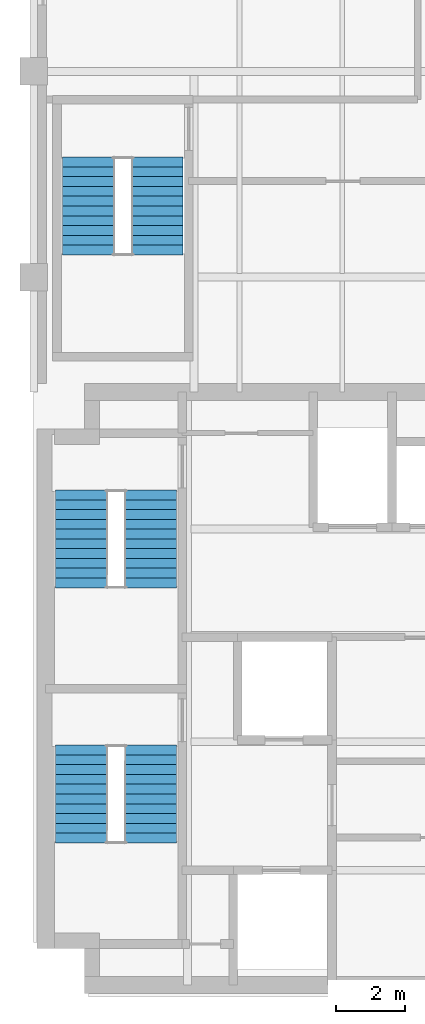
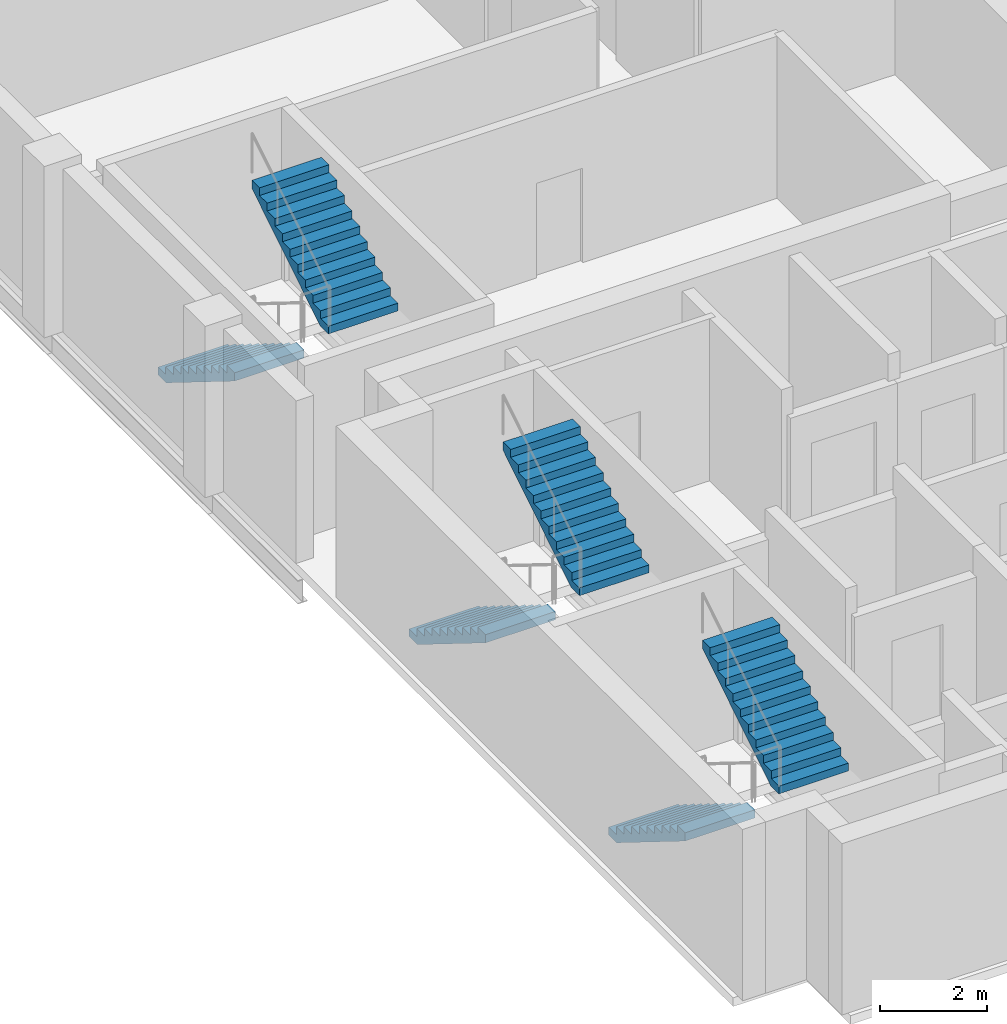
# One storey, part 5 of 6: 6 stair flights, 3 elements without a shape of their own.
"""IFC4 building model written with IfcOpenShell, lengths in metres."""

from ifc_helpers import new_model, si_unit, direction, frame, origin, place, context, subcontext, project, spatial, polyline, outline, extrude, material, type_object, element, aggregate, save


model = new_model("IFC4")

# Units and contexts
model_context = context("Model", 3, precision=1e-05, world=origin(), true_north=direction((0.0, 1.0)))
body_context = subcontext(model_context, "Body", "Model", "MODEL_VIEW")
ifc_project = project(units=[si_unit("LENGTHUNIT", "METRE"), si_unit("AREAUNIT", "SQUARE_METRE"), si_unit("VOLUMEUNIT", "CUBIC_METRE"), si_unit("PLANEANGLEUNIT", "RADIAN"), si_unit("MASSUNIT", "GRAM", prefix="KILO")], contexts=[model_context])

# Site, building, storey
site_placement = place(None, origin())
site = spatial("IfcSite", under=ifc_project, at=site_placement, CompositionType="ELEMENT")
building_placement = place(site_placement, origin())
building = spatial("IfcBuilding", under=site, at=building_placement, Name="Mawjdan Bourse Tower", CompositionType="ELEMENT")
storey_placement = place(building_placement, frame((0.0, 0.0, 231.300048828125)))
storey = spatial("IfcBuildingStorey", under=building, at=storey_placement, Name="L56", CompositionType="ELEMENT", Elevation=231.300048828125)

# Stair, stair flights
ifc_material = material(Name="Concrete C50/60", Category="concrete")
stair_type = type_object("IfcStairType", Name="STR-CORE-1500", PredefinedType="HALF_TURN_STAIR", material=ifc_material)
stair_1_placement = place(storey_placement, origin())
stair_1 = element("IfcStair", 1, at=stair_1_placement, inside=storey, type_object=stair_type, Name="L56 Exit Stair 1 (Core South-West)", PredefinedType="HALF_TURN_STAIR")
stair_flight_type = type_object("IfcStairFlightType", Name="SFL-RC-1500", PredefinedType="STRAIGHT", material=ifc_material)
stair_flight_1_placement = place(storey_placement, frame((7.389892578125, 10.35009765625, 0.0), z_axis=(0.0, 0.0, 1.0), x_axis=(0.0, -1.0, 0.0)))
stair_flight_1 = element("IfcStairFlight", 2, at=stair_flight_1_placement, type_object=stair_flight_type, Name="ST1-L56 flight 1", NumberOfRisers=11, NumberOfTreads=10, PredefinedType="STRAIGHT", RiserHeight=0.177273, TreadLength=0.285, context=body_context, shape_type="SweptSolid", body=[
    extrude(outline(polyline([(0.0, 0.0), (0.0, 0.17724609375), (0.284912109375, 0.17724609375), (0.284912109375, 0.3544921875), (0.570068359375, 0.3544921875), (0.570068359375, 0.53173828125), (0.85498046875, 0.53173828125), (0.85498046875, 0.708984375), (1.139892578125, 0.708984375), (1.139892578125, 0.886474609375), (1.425048828125, 0.886474609375), (1.425048828125, 1.063720703125), (1.7099609375, 1.063720703125), (1.7099609375, 1.240966796875), (1.9951171875, 1.240966796875), (1.9951171875, 1.418212890625), (2.280029296875, 1.418212890625), (2.280029296875, 1.595458984375), (2.56494140625, 1.595458984375), (2.56494140625, 1.772705078125), (2.85009765625, 1.772705078125), (2.85009765625, 1.949951171875), (2.85009765625, 1.58447265625), (0.302734375, 0.0), (0.0, 0.0)])), frame((0.0, 0.75, 0.0), z_axis=(0.0, -1.0, 0.0), x_axis=(1.0, 0.0, 0.0)), (0.0, 0.0, 1.0), 1.5),
])
stair_flight_2_placement = place(storey_placement, frame((9.409912109375, 7.5, 1.949951171875), z_axis=(0.0, 0.0, 1.0), x_axis=(0.0, 1.0, 0.0)))
stair_flight_2 = element("IfcStairFlight", 3, at=stair_flight_2_placement, type_object=stair_flight_type, Name="ST1-L56 flight 2", NumberOfRisers=11, NumberOfTreads=10, PredefinedType="STRAIGHT", RiserHeight=0.177273, TreadLength=0.285, context=body_context, shape_type="SweptSolid", body=[
    extrude(outline(polyline([(0.0, 0.0), (0.0, 0.17724609375), (0.284912109375, 0.17724609375), (0.284912109375, 0.3544921875), (0.570068359375, 0.3544921875), (0.570068359375, 0.53173828125), (0.85498046875, 0.53173828125), (0.85498046875, 0.708984375), (1.139892578125, 0.708984375), (1.139892578125, 0.886474609375), (1.425048828125, 0.886474609375), (1.425048828125, 1.063720703125), (1.7099609375, 1.063720703125), (1.7099609375, 1.240966796875), (1.9951171875, 1.240966796875), (1.9951171875, 1.418212890625), (2.280029296875, 1.418212890625), (2.280029296875, 1.595458984375), (2.56494140625, 1.595458984375), (2.56494140625, 1.772705078125), (2.85009765625, 1.772705078125), (2.85009765625, 1.949951171875), (2.85009765625, 1.58447265625), (0.302734375, 0.0), (0.0, 0.0)])), frame((0.0, 0.75, 0.0), z_axis=(0.0, -1.0, 0.0), x_axis=(1.0, 0.0, 0.0)), (0.0, 0.0, 1.0), 1.5),
])
aggregate(stair_1, [stair_flight_1, stair_flight_2])

stair_2_placement = place(storey_placement, origin())
stair_2 = element("IfcStair", 4, at=stair_2_placement, inside=storey, type_object=stair_type, Name="L56 Exit Stair 2 (Core North-West)", PredefinedType="HALF_TURN_STAIR")
stair_flight_3_placement = place(storey_placement, frame((7.389892578125, 17.7900390625, 0.0), z_axis=(0.0, 0.0, 1.0), x_axis=(0.0, -1.0, 0.0)))
stair_flight_3 = element("IfcStairFlight", 5, at=stair_flight_3_placement, type_object=stair_flight_type, Name="ST2-L56 flight 1", NumberOfRisers=11, NumberOfTreads=10, PredefinedType="STRAIGHT", RiserHeight=0.177273, TreadLength=0.285, context=body_context, shape_type="SweptSolid", body=[
    extrude(outline(polyline([(0.0, 0.0), (0.0, 0.17724609375), (0.284912109375, 0.17724609375), (0.284912109375, 0.3544921875), (0.570068359375, 0.3544921875), (0.570068359375, 0.53173828125), (0.85498046875, 0.53173828125), (0.85498046875, 0.708984375), (1.139892578125, 0.708984375), (1.139892578125, 0.886474609375), (1.425048828125, 0.886474609375), (1.425048828125, 1.063720703125), (1.7099609375, 1.063720703125), (1.7099609375, 1.240966796875), (1.9951171875, 1.240966796875), (1.9951171875, 1.418212890625), (2.280029296875, 1.418212890625), (2.280029296875, 1.595458984375), (2.56494140625, 1.595458984375), (2.56494140625, 1.772705078125), (2.85009765625, 1.772705078125), (2.85009765625, 1.949951171875), (2.85009765625, 1.58447265625), (0.302734375, 0.0), (0.0, 0.0)])), frame((0.0, 0.75, 0.0), z_axis=(0.0, -1.0, 0.0), x_axis=(1.0, 0.0, 0.0)), (0.0, 0.0, 1.0), 1.5),
])
stair_flight_4_placement = place(storey_placement, frame((9.409912109375, 14.93994140625, 1.949951171875), z_axis=(0.0, 0.0, 1.0), x_axis=(0.0, 1.0, 0.0)))
stair_flight_4 = element("IfcStairFlight", 6, at=stair_flight_4_placement, type_object=stair_flight_type, Name="ST2-L56 flight 2", NumberOfRisers=11, NumberOfTreads=10, PredefinedType="STRAIGHT", RiserHeight=0.177273, TreadLength=0.285, context=body_context, shape_type="SweptSolid", body=[
    extrude(outline(polyline([(0.0, 0.0), (0.0, 0.17724609375), (0.284912109375, 0.17724609375), (0.284912109375, 0.3544921875), (0.570068359375, 0.3544921875), (0.570068359375, 0.53173828125), (0.85498046875, 0.53173828125), (0.85498046875, 0.708984375), (1.139892578125, 0.708984375), (1.139892578125, 0.886474609375), (1.425048828125, 0.886474609375), (1.425048828125, 1.063720703125), (1.7099609375, 1.063720703125), (1.7099609375, 1.240966796875), (1.9951171875, 1.240966796875), (1.9951171875, 1.418212890625), (2.280029296875, 1.418212890625), (2.280029296875, 1.595458984375), (2.56494140625, 1.595458984375), (2.56494140625, 1.772705078125), (2.85009765625, 1.772705078125), (2.85009765625, 1.949951171875), (2.85009765625, 1.58447265625), (0.302734375, 0.0), (0.0, 0.0)])), frame((0.0, 0.75, 0.0), z_axis=(0.0, -1.0, 0.0), x_axis=(1.0, 0.0, 0.0)), (0.0, 0.0, 1.0), 1.5),
])
aggregate(stair_2, [stair_flight_3, stair_flight_4])

stair_3_placement = place(storey_placement, origin())
stair_3 = element("IfcStair", 7, at=stair_3_placement, inside=storey, type_object=stair_type, Name="L56 Exit Stair 3 (North Wing)", PredefinedType="HALF_TURN_STAIR")
stair_flight_5_placement = place(storey_placement, frame((7.590087890625, 27.5, 0.0), z_axis=(0.0, 0.0, 1.0), x_axis=(0.0, -1.0, 0.0)))
stair_flight_5 = element("IfcStairFlight", 8, at=stair_flight_5_placement, type_object=stair_flight_type, Name="ST3-L56 flight 1", NumberOfRisers=11, NumberOfTreads=10, PredefinedType="STRAIGHT", RiserHeight=0.177273, TreadLength=0.285, context=body_context, shape_type="SweptSolid", body=[
    extrude(outline(polyline([(0.0, 0.0), (0.0, 0.17724609375), (0.284912109375, 0.17724609375), (0.284912109375, 0.3544921875), (0.570068359375, 0.3544921875), (0.570068359375, 0.53173828125), (0.85498046875, 0.53173828125), (0.85498046875, 0.708984375), (1.139892578125, 0.708984375), (1.139892578125, 0.886474609375), (1.425048828125, 0.886474609375), (1.425048828125, 1.063720703125), (1.7099609375, 1.063720703125), (1.7099609375, 1.240966796875), (1.9951171875, 1.240966796875), (1.9951171875, 1.418212890625), (2.280029296875, 1.418212890625), (2.280029296875, 1.595458984375), (2.56494140625, 1.595458984375), (2.56494140625, 1.772705078125), (2.85009765625, 1.772705078125), (2.85009765625, 1.949951171875), (2.85009765625, 1.58447265625), (0.302734375, 0.0), (0.0, 0.0)])), frame((0.0, 0.75, 0.0), z_axis=(0.0, -1.0, 0.0), x_axis=(1.0, 0.0, 0.0)), (0.0, 0.0, 1.0), 1.5),
])
stair_flight_6_placement = place(storey_placement, frame((9.610107421875, 24.64990234375, 1.949951171875), z_axis=(0.0, 0.0, 1.0), x_axis=(0.0, 1.0, 0.0)))
stair_flight_6 = element("IfcStairFlight", 9, at=stair_flight_6_placement, type_object=stair_flight_type, Name="ST3-L56 flight 2", NumberOfRisers=11, NumberOfTreads=10, PredefinedType="STRAIGHT", RiserHeight=0.177273, TreadLength=0.285, context=body_context, shape_type="SweptSolid", body=[
    extrude(outline(polyline([(0.0, 0.0), (0.0, 0.17724609375), (0.284912109375, 0.17724609375), (0.284912109375, 0.3544921875), (0.570068359375, 0.3544921875), (0.570068359375, 0.53173828125), (0.85498046875, 0.53173828125), (0.85498046875, 0.708984375), (1.139892578125, 0.708984375), (1.139892578125, 0.886474609375), (1.425048828125, 0.886474609375), (1.425048828125, 1.063720703125), (1.7099609375, 1.063720703125), (1.7099609375, 1.240966796875), (1.9951171875, 1.240966796875), (1.9951171875, 1.418212890625), (2.280029296875, 1.418212890625), (2.280029296875, 1.595458984375), (2.56494140625, 1.595458984375), (2.56494140625, 1.772705078125), (2.85009765625, 1.772705078125), (2.85009765625, 1.949951171875), (2.85009765625, 1.58447265625), (0.302734375, 0.0), (0.0, 0.0)])), frame((0.0, 0.75, 0.0), z_axis=(0.0, -1.0, 0.0), x_axis=(1.0, 0.0, 0.0)), (0.0, 0.0, 1.0), 1.5),
])
aggregate(stair_3, [stair_flight_5, stair_flight_6])

save(model, "model.ifc")
